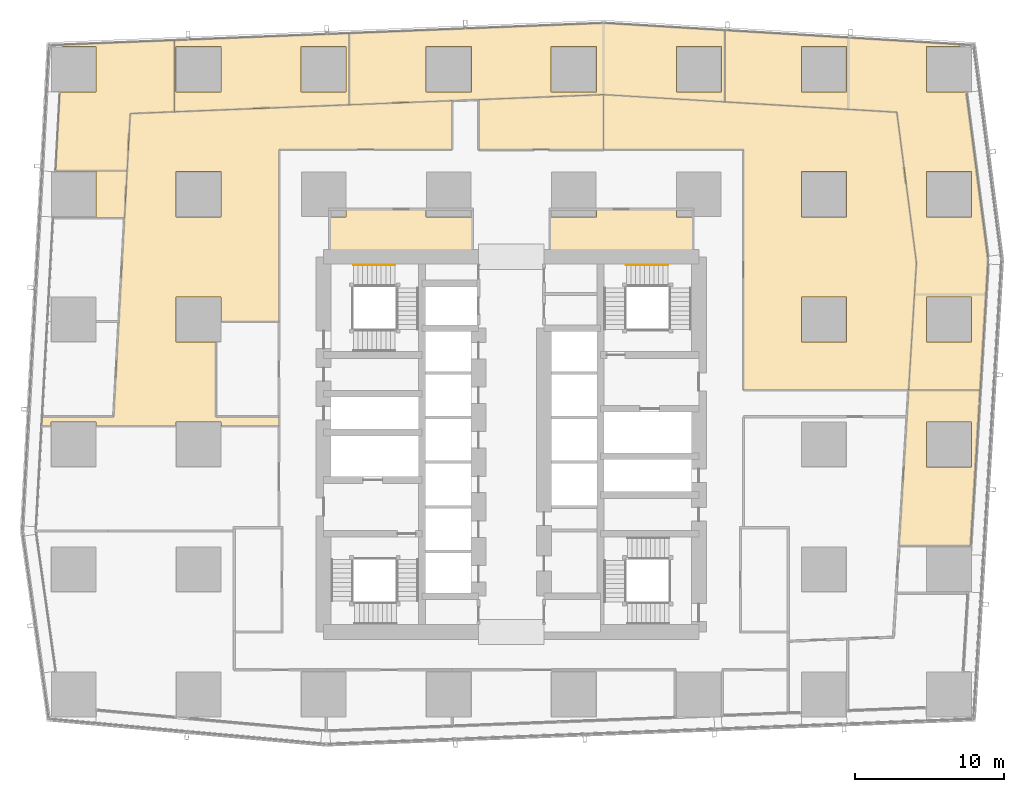
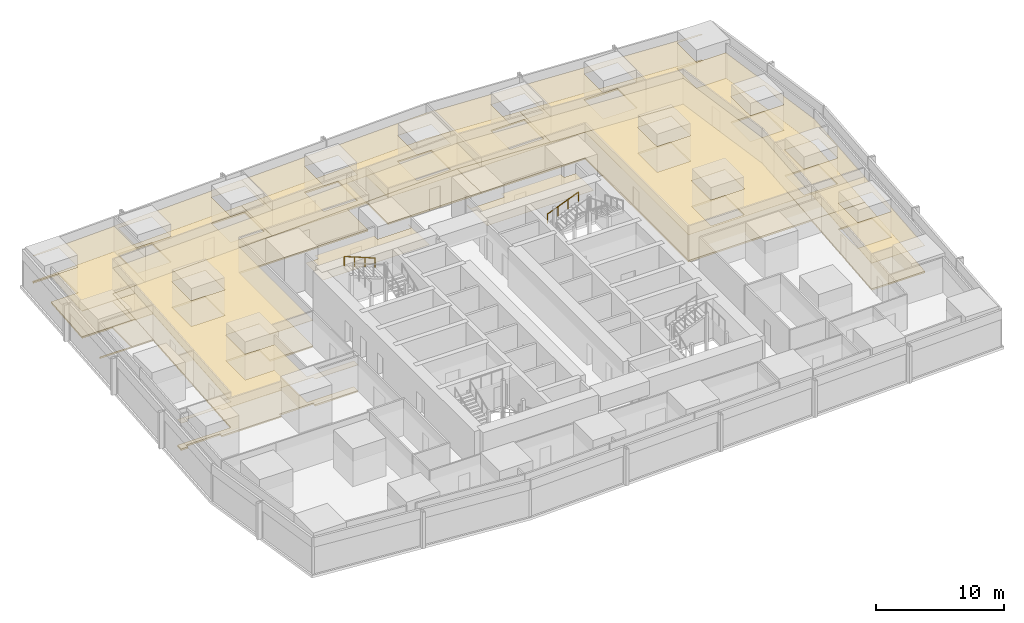
# One storey, part 39 of 39: 20 coverings, 2 railings.
"""IFC4 building model written with IfcOpenShell, lengths in metres."""

import ifcopenshell
import ifcopenshell.guid

model = None  # the IFC model being written
_history = None  # IfcOwnerHistory: only IFC2X3 demands one
_inside = {}  # id of a spatial element -> (the spatial element, [elements in it])
_under = {}  # id of a project, library or spatial element -> (it, [spatial elements below it])
_declared = {}  # id of a project -> (the project, [libraries it declares])
_typed = {}  # id of a type object -> (the type object, [elements of that type])
_made_of = {}  # id of a material, layer set ... -> (it, [elements and type objects made of it])


def new_model(schema):
    """Start an empty IFC model of exactly this schema.

    Asked for "IFC4X3", IfcOpenShell would pick the latest addendum, in which some entities
    have other attributes; the version numbers below select the first issue.
    IFC2X3 requires an IfcOwnerHistory on every rooted entity: one is made here for all.
    """
    global model, _history
    if schema == "IFC4X3":
        model = ifcopenshell.file(schema_version=(4, 3, 0, 0))
    else:
        model = ifcopenshell.file(schema=schema)
    _inside.clear()
    _under.clear()
    _declared.clear()
    _typed.clear()
    _made_of.clear()
    _history = None
    if model.schema == "IFC2X3":
        org = make("IfcOrganization", Name="unknown")
        user = make(
            "IfcPersonAndOrganization",
            ThePerson=make("IfcPerson", FamilyName="unknown"),
            TheOrganization=org,
        )
        app = make(
            "IfcApplication",
            ApplicationDeveloper=org,
            Version="unknown",
            ApplicationFullName="unknown",
            ApplicationIdentifier="unknown",
        )
        _history = make(
            "IfcOwnerHistory",
            OwningUser=user,
            OwningApplication=app,
            ChangeAction="ADDED",
            CreationDate=0,
        )
    return model


def make(cls, **values):
    """One entity of the class cls with the attributes given. An attribute that is None is left unset."""
    return model.create_entity(
        cls, **{name: value for name, value in values.items() if value is not None}
    )


def rooted(cls, **values):
    """An entity with a GlobalId (a new one), such as an element, a storey or a relation."""
    return make(cls, GlobalId=ifcopenshell.guid.new(), OwnerHistory=_history, **values)


def si_unit(unit_type, name, prefix=None):
    """IfcSIUnit, for example si_unit("LENGTHUNIT", "METRE", prefix="MILLI")."""
    return make("IfcSIUnit", UnitType=unit_type, Prefix=prefix, Name=name)


def assignment(units):
    """IfcUnitAssignment: the units of a project."""
    return None if units is None else make("IfcUnitAssignment", Units=units)


def point(xyz):
    """IfcCartesianPoint."""
    return None if xyz is None else make("IfcCartesianPoint", Coordinates=xyz)


def direction(xyz):
    """IfcDirection."""
    return None if xyz is None else make("IfcDirection", DirectionRatios=xyz)


def frame(location, z_axis=None, x_axis=None):
    """IfcAxis2Placement3D, a coordinate frame: its origin and axes. An axis left out is left unset."""
    return make(
        "IfcAxis2Placement3D",
        Location=point(location),
        Axis=direction(z_axis),
        RefDirection=direction(x_axis),
    )


def frame_2d(location, x_axis=None):
    """IfcAxis2Placement2D, a coordinate frame in the plane: its origin and x axis."""
    return make(
        "IfcAxis2Placement2D", Location=point(location), RefDirection=direction(x_axis)
    )


def origin():
    """The frame at (0, 0, 0) with its axes left unset."""
    return frame((0.0, 0.0, 0.0))


def origin_2d():
    """The frame at (0, 0) in the plane with its x axis left unset."""
    return frame_2d((0.0, 0.0))


def place(relative_to, where):
    """IfcLocalPlacement: puts the frame where relative to a parent placement (None: the world)."""
    return make(
        "IfcLocalPlacement", PlacementRelTo=relative_to, RelativePlacement=where
    )


def context(
    kind, dimensions, precision=None, world=None, true_north=None, identifier=None
):
    """IfcGeometricRepresentationContext, for example the 3D "Model" context."""
    return make(
        "IfcGeometricRepresentationContext",
        ContextIdentifier=identifier,
        ContextType=kind,
        CoordinateSpaceDimension=dimensions,
        Precision=precision,
        WorldCoordinateSystem=world,
        TrueNorth=true_north,
    )


def subcontext(parent, identifier, kind, view, scale=None):
    """IfcGeometricRepresentationSubContext, for example "Body" below "Model"."""
    return make(
        "IfcGeometricRepresentationSubContext",
        ContextIdentifier=identifier,
        ContextType=kind,
        ParentContext=parent,
        TargetScale=scale,
        TargetView=view,
    )


def project(units=None, contexts=None):
    """IfcProject with its units and contexts."""
    return rooted(
        "IfcProject",
        Name="project",
        RepresentationContexts=contexts,
        UnitsInContext=assignment(units),
    )


def spatial(cls, under=None, at=None, **own):
    """A site, building, storey or space (cls), placed at a placement, below another one or the project."""
    s = rooted(cls, ObjectPlacement=at, **own)
    if under is not None:
        _under.setdefault(under.id(), (under, []))[1].append(s)
    return s


def polyline(points):
    """IfcPolyline through the points."""
    return make("IfcPolyline", Points=[point(p) for p in points])


def profile(cls, at=None, kind="AREA", **sizes):
    """A parametric profile (cls). Its sizes go by their IFC names, for example OverallWidth=200.0."""
    return make(cls, ProfileType=kind, Position=at, **sizes)


def circle(**sizes):
    """IfcCircleProfileDef."""
    return profile("IfcCircleProfileDef", **sizes)


def outline(outer, holes=None, kind="AREA"):
    """IfcArbitraryClosedProfileDef: a profile drawn as a closed curve; with holes, ...WithVoids."""
    if holes is None:
        return make("IfcArbitraryClosedProfileDef", ProfileType=kind, OuterCurve=outer)
    return make(
        "IfcArbitraryProfileDefWithVoids",
        ProfileType=kind,
        OuterCurve=outer,
        InnerCurves=holes,
    )


def extrude(swept, where, along, depth):
    """IfcExtrudedAreaSolid: the profile swept, set in the frame where, extruded along a direction by depth."""
    return make(
        "IfcExtrudedAreaSolid",
        SweptArea=swept,
        Position=where,
        ExtrudedDirection=direction(along),
        Depth=depth,
    )


def shape(context_of_items, identifier, shape_type, items):
    """IfcShapeRepresentation: the items that make up one representation, for example the "Body"."""
    return make(
        "IfcShapeRepresentation",
        ContextOfItems=context_of_items,
        RepresentationIdentifier=identifier,
        RepresentationType=shape_type,
        Items=items,
    )


def material(Name=None, Category=None):
    """IfcMaterial."""
    return make("IfcMaterial", Name=Name, Category=Category)


def layer(
    of_material, thickness, ventilated=None, Name=None, Category=None, Priority=None
):
    """IfcMaterialLayer: one layer of a wall or slab, of a material (None: an air gap)."""
    return make(
        "IfcMaterialLayer",
        Material=of_material,
        LayerThickness=thickness,
        IsVentilated=ventilated,
        Name=Name,
        Category=Category,
        Priority=Priority,
    )


def layer_set(layers, Name=None):
    """IfcMaterialLayerSet."""
    return make("IfcMaterialLayerSet", MaterialLayers=layers, LayerSetName=Name)


def made_of(thing, what):
    """Note that an element or type object is made of a material, layer set ...; save() writes the relation."""
    if what is not None:
        _made_of.setdefault(what.id(), (what, []))[1].append(thing)
    return thing


def type_object(cls, material=None, **own):
    """A type object (cls), such as IfcWallType, which elements share."""
    return made_of(rooted(cls, **own), material)


def element(
    cls,
    number,
    at=None,
    inside=None,
    cuts=None,
    type_object=None,
    material=None,
    context=None,
    identifier="Body",
    shape_type=None,
    held_by="IfcProductDefinitionShape",
    body=None,
    shapes=None,
    **own,
):
    """One element of the class cls, such as IfcWall. Its Tag is "e" and its number.

    at: its placement. inside: the storey or other place that contains it. cuts: it is an
    opening in that element (IfcRelVoidsElement). A single representation is given by context,
    identifier, shape_type and body (its items); several are given by shapes. held_by: the class
    of the entity that holds the representations. save() writes the other relations.
    """
    e = rooted(cls, Tag="e%d" % number, ObjectPlacement=at, **own)
    if body is not None:
        shapes = [shape(context, identifier, shape_type, body)]
    if shapes is not None:
        e.Representation = make(held_by, Representations=shapes)
    if inside is not None:
        _inside.setdefault(inside.id(), (inside, []))[1].append(e)
    if cuts is not None:
        rooted(
            "IfcRelVoidsElement", RelatingBuildingElement=cuts, RelatedOpeningElement=e
        )
    if type_object is not None:
        _typed.setdefault(type_object.id(), (type_object, []))[1].append(e)
    return made_of(e, material)


def aggregate(whole, parts):
    """IfcRelAggregates: a whole, such as a stair, and the parts it consists of."""
    return rooted("IfcRelAggregates", RelatingObject=whole, RelatedObjects=parts)


def save(model, path):
    """Write the relations noted so far, then the file.

    IfcRelAggregates (storeys below a building ...), IfcRelContainedInSpatialStructure (elements
    in a storey), IfcRelDefinesByType, IfcRelAssociatesMaterial and IfcRelDeclares: one each for
    every whole, place, type object, material and project.
    """
    for whole, parts in _under.values():
        aggregate(whole, parts)
    for where, things in _inside.values():
        rooted(
            "IfcRelContainedInSpatialStructure",
            RelatedElements=things,
            RelatingStructure=where,
        )
    for kind, things in _typed.values():
        rooted("IfcRelDefinesByType", RelatedObjects=things, RelatingType=kind)
    for what, things in _made_of.values():
        rooted("IfcRelAssociatesMaterial", RelatedObjects=things, RelatingMaterial=what)
    for by, libraries in _declared.values():
        rooted("IfcRelDeclares", RelatingContext=by, RelatedDefinitions=libraries)
    model.write(path)


model = new_model("IFC4")

# Units and contexts
model_context = context("Model", 3, precision=1e-05, world=origin(), true_north=direction((0.0, 1.0)))
body_context = subcontext(model_context, "Body", "Model", "MODEL_VIEW")
ifc_project = project(units=[si_unit("LENGTHUNIT", "METRE"), si_unit("AREAUNIT", "SQUARE_METRE"), si_unit("VOLUMEUNIT", "CUBIC_METRE"), si_unit("PLANEANGLEUNIT", "RADIAN"), si_unit("MASSUNIT", "GRAM", prefix="KILO")], contexts=[model_context])

# Site, building, storey
site_placement = place(None, origin())
site = spatial("IfcSite", under=ifc_project, at=site_placement, CompositionType="ELEMENT")
building_placement = place(site_placement, origin())
building = spatial("IfcBuilding", under=site, at=building_placement, Name="Rekha Terrace Tower", CompositionType="ELEMENT")
storey_placement = place(building_placement, frame((0.0, 0.0, 155.300048828125)))
storey = spatial("IfcBuildingStorey", under=building, at=storey_placement, Name="L39", CompositionType="ELEMENT", Elevation=155.300048828125)

# Coverings
ifc_material_1 = material(Name="Mineral fibre tile in exposed grid", Category="finish")
ifc_layer_1 = layer(ifc_material_1, 0.02001953125)
ifc_layer_set_1 = layer_set([ifc_layer_1], Name="Mineral fibre tile in exposed grid")
covering_type_1 = type_object("IfcCoveringType", Name="CL1 600x1200 office grid ceiling", PredefinedType="CEILING", material=ifc_layer_set_1)
covering_1_placement = place(storey_placement, frame((0.0, 0.0, 2.579833984375)))
element("IfcCovering", 1, at=covering_1_placement, inside=storey, type_object=covering_type_1, Name="Ceiling L39-07", PredefinedType="CEILING", context=body_context, shape_type="SweptSolid", body=[
    extrude(outline(polyline([(68.658935546875, 26.756103515625), (69.301025390625, 37.242919921875), (64.491943359375, 37.242919921875), (64.443115234375, 36.43798828125), (63.85009765625, 26.756103515625), (68.658935546875, 26.756103515625)]), holes=[polyline([(68.715087890625, 35.114990234375), (68.715087890625, 32.0849609375), (65.68505859375, 32.0849609375), (65.68505859375, 35.114990234375), (68.715087890625, 35.114990234375)])]), origin(), (0.0, 0.0, 1.0), 0.02001953125),
])
covering_2_placement = place(storey_placement, frame((0.0, 0.0, 2.579833984375)))
element("IfcCovering", 2, at=covering_2_placement, inside=storey, type_object=covering_type_1, Name="Ceiling L39-08", PredefinedType="CEILING", context=body_context, shape_type="SweptSolid", body=[
    extrude(outline(polyline([(67.948974609375, 60.462890625), (60.43310546875, 60.9150390625), (52.14208984375, 61.4130859375), (52.14208984375, 56.60400390625), (60.43505859375, 56.10595703125), (63.700927734375, 55.909912109375), (65.01708984375, 45.806884765625), (64.885009765625, 43.658935546875), (64.491943359375, 37.243896484375), (69.301025390625, 37.243896484375), (69.694091796875, 43.660888671875), (69.8359375, 45.971923828125), (68.363037109375, 57.284912109375), (65.68505859375, 57.284912109375), (65.68505859375, 60.31494140625), (67.968017578125, 60.31494140625), (67.948974609375, 60.462890625)]), holes=[polyline([(68.715087890625, 40.485107421875), (65.68505859375, 40.485107421875), (65.68505859375, 43.514892578125), (68.715087890625, 43.514892578125), (68.715087890625, 40.485107421875)]), polyline([(68.715087890625, 48.885009765625), (65.68505859375, 48.885009765625), (65.68505859375, 51.9150390625), (68.715087890625, 51.9150390625), (68.715087890625, 48.885009765625)]), polyline([(60.31494140625, 57.284912109375), (57.284912109375, 57.284912109375), (57.284912109375, 60.31494140625), (60.31494140625, 60.31494140625), (60.31494140625, 57.284912109375)])]), origin(), (0.0, 0.0, 1.0), 0.02001953125),
])
covering_3_placement = place(storey_placement, frame((0.0, 0.0, 2.579833984375)))
element("IfcCovering", 3, at=covering_3_placement, inside=storey, type_object=covering_type_1, Name="Ceiling L39-O1", PredefinedType="CEILING", context=body_context, shape_type="SweptSolid", body=[
    extrude(outline(polyline([(52.14111328125, 56.60400390625), (44.0029296875, 57.093017578125), (44.0029296875, 53.39990234375), (53.39990234375, 53.39990234375), (53.39990234375, 37.2470703125), (64.491943359375, 37.2470703125), (64.885009765625, 43.660888671875), (65.01708984375, 45.806884765625), (63.700927734375, 55.909912109375), (60.43408203125, 56.10595703125), (52.14111328125, 56.60400390625)]), holes=[polyline([(60.31494140625, 40.485107421875), (57.284912109375, 40.485107421875), (57.284912109375, 43.514892578125), (60.31494140625, 43.514892578125), (60.31494140625, 40.485107421875)]), polyline([(60.31494140625, 48.885009765625), (57.284912109375, 48.885009765625), (57.284912109375, 51.9150390625), (60.31494140625, 51.9150390625), (60.31494140625, 48.885009765625)])]), origin(), (0.0, 0.0, 1.0), 0.02001953125),
])
covering_4_placement = place(storey_placement, frame((0.0, 0.0, 2.579833984375)))
element("IfcCovering", 4, at=covering_4_placement, inside=storey, type_object=covering_type_1, Name="Ceiling L39-13", PredefinedType="CEILING", context=body_context, shape_type="SweptSolid", body=[
    extrude(outline(polyline([(26.906005859375, 56.409912109375), (26.906005859375, 61.212890625), (15.166015625, 60.742919921875), (15.166015625, 55.93896484375), (26.906005859375, 56.409912109375)]), holes=[polyline([(26.715087890625, 57.284912109375), (23.68505859375, 57.284912109375), (23.68505859375, 60.31494140625), (26.715087890625, 60.31494140625), (26.715087890625, 57.284912109375)]), polyline([(18.31494140625, 57.284912109375), (15.284912109375, 57.284912109375), (15.284912109375, 60.31494140625), (18.31494140625, 60.31494140625), (18.31494140625, 57.284912109375)])]), origin(), (0.0, 0.0, 1.0), 0.02001953125),
])
covering_5_placement = place(storey_placement, frame((0.0, 0.0, 2.579833984375)))
element("IfcCovering", 5, at=covering_5_placement, inside=storey, type_object=covering_type_1, Name="Ceiling L39-14", PredefinedType="CEILING", context=body_context, shape_type="SweptSolid", body=[
    extrude(outline(polyline([(7.47998046875, 57.284912109375), (7.18798828125, 51.9580078125), (11.9951171875, 51.9580078125), (12.20703125, 55.821044921875), (15.1650390625, 55.93896484375), (15.1650390625, 60.742919921875), (7.653076171875, 60.44189453125), (7.64599609375, 60.31494140625), (9.9150390625, 60.31494140625), (9.9150390625, 57.284912109375), (7.47998046875, 57.284912109375)])), origin(), (0.0, 0.0, 1.0), 0.02001953125),
])
covering_6_placement = place(storey_placement, frame((0.0, 0.0, 2.579833984375)))
element("IfcCovering", 6, at=covering_6_placement, inside=storey, type_object=covering_type_1, Name="Ceiling L39-15", PredefinedType="CEILING", context=body_context, shape_type="SweptSolid", body=[
    extrude(outline(polyline([(9.9150390625, 48.885009765625), (7.01904296875, 48.885009765625), (7.01708984375, 48.843017578125), (11.823974609375, 48.843017578125), (11.9951171875, 51.95703125), (7.18798828125, 51.95703125), (7.18603515625, 51.9150390625), (9.9150390625, 51.9150390625), (9.9150390625, 48.885009765625)])), origin(), (0.0, 0.0, 1.0), 0.02001953125),
])
covering_7_placement = place(storey_placement, frame((0.0, 0.0, 2.579833984375)))
element("IfcCovering", 7, at=covering_7_placement, inside=storey, type_object=covering_type_1, Name="Ceiling L39-O2", PredefinedType="CEILING", context=body_context, shape_type="SweptSolid", body=[
    extrude(outline(polyline([(11.823974609375, 48.842041015625), (11.44091796875, 41.85400390625), (11.090087890625, 35.447021484375), (6.282958984375, 35.447021484375), (6.2490234375, 34.833984375), (6.885009765625, 34.833984375), (6.885009765625, 35.114990234375), (9.9150390625, 35.114990234375), (9.9150390625, 34.833984375), (15.284912109375, 34.833984375), (15.284912109375, 35.114990234375), (18.31494140625, 35.114990234375), (18.31494140625, 34.833984375), (22.199951171875, 34.833984375), (22.199951171875, 35.447021484375), (17.949951171875, 35.447021484375), (17.949951171875, 40.485107421875), (15.284912109375, 40.485107421875), (15.284912109375, 43.514892578125), (18.31494140625, 43.514892578125), (18.31494140625, 41.85498046875), (22.199951171875, 41.85498046875), (22.199951171875, 53.39990234375), (33.825927734375, 53.39990234375), (33.825927734375, 56.68701171875), (26.89111328125, 56.408935546875), (15.14990234375, 55.93798828125), (12.20703125, 55.821044921875), (11.9951171875, 51.95703125), (11.823974609375, 48.842041015625)]), holes=[polyline([(18.31494140625, 48.885009765625), (15.284912109375, 48.885009765625), (15.284912109375, 51.9150390625), (18.31494140625, 51.9150390625), (18.31494140625, 48.885009765625)])]), origin(), (0.0, 0.0, 1.0), 0.02001953125),
])
covering_8_placement = place(storey_placement, frame((0.0, 0.0, 2.579833984375)))
element("IfcCovering", 8, at=covering_8_placement, inside=storey, type_object=covering_type_1, Name="Ceiling L39-19", PredefinedType="CEILING", context=body_context, shape_type="SweptSolid", body=[
    extrude(outline(polyline([(34.72607421875, 56.722900390625), (35.6259765625, 56.759033203125), (44.00390625, 57.094970703125), (44.00390625, 57.093017578125), (52.14111328125, 56.60400390625), (52.14111328125, 61.4130859375), (44.00390625, 61.902099609375), (44.00390625, 61.89892578125), (34.72607421875, 61.527099609375), (26.906982421875, 61.214111328125), (26.906982421875, 56.409912109375), (33.825927734375, 56.68701171875), (34.2041015625, 56.701904296875), (34.72607421875, 56.722900390625)]), holes=[polyline([(51.9150390625, 57.284912109375), (48.885009765625, 57.284912109375), (48.885009765625, 60.31494140625), (51.9150390625, 60.31494140625), (51.9150390625, 57.284912109375)]), polyline([(43.514892578125, 57.284912109375), (40.485107421875, 57.284912109375), (40.485107421875, 60.31494140625), (43.514892578125, 60.31494140625), (43.514892578125, 57.284912109375)]), polyline([(35.114990234375, 57.284912109375), (32.0849609375, 57.284912109375), (32.0849609375, 60.31494140625), (35.114990234375, 60.31494140625), (35.114990234375, 57.284912109375)])]), origin(), (0.0, 0.0, 1.0), 0.02001953125),
])
covering_9_placement = place(storey_placement, frame((0.0, 0.0, 2.579833984375)))
element("IfcCovering", 9, at=covering_9_placement, inside=storey, type_object=covering_type_1, Name="Ceiling L39-20", PredefinedType="CEILING", context=body_context, shape_type="SweptSolid", body=[
    extrude(outline(polyline([(44.0029296875, 57.094970703125), (35.6259765625, 56.759033203125), (35.6259765625, 53.39990234375), (44.0029296875, 53.39990234375), (44.0029296875, 57.094970703125)])), origin(), (0.0, 0.0, 1.0), 0.02001953125),
])
ifc_material_2 = material(Name="Fibre cement board", Category="finish")
ifc_layer_2 = layer(ifc_material_2, 0.014892578125)
ifc_layer_set_2 = layer_set([ifc_layer_2], Name="Fibre cement board")
covering_type_2 = type_object("IfcCoveringType", Name="CL2 moisture-resistant board ceiling", PredefinedType="CEILING", material=ifc_layer_set_2)
covering_10_placement = place(storey_placement, frame((0.0, 0.0, 2.5849609375)))
element("IfcCovering", 10, at=covering_10_placement, inside=storey, type_object=covering_type_2, Name="Ceiling L39-WCF", PredefinedType="CEILING", context=body_context, shape_type="SweptSolid", body=[
    extrude(outline(polyline([(40.485107421875, 49.39990234375), (40.39990234375, 49.39990234375), (40.39990234375, 46.199951171875), (50.0, 46.199951171875), (50.0, 48.885009765625), (48.885009765625, 48.885009765625), (48.885009765625, 49.39990234375), (43.514892578125, 49.39990234375), (43.514892578125, 48.885009765625), (40.485107421875, 48.885009765625), (40.485107421875, 49.39990234375)])), origin(), (0.0, 0.0, 1.0), 0.014892578125),
])
covering_11_placement = place(storey_placement, frame((0.0, 0.0, 2.5849609375)))
element("IfcCovering", 11, at=covering_11_placement, inside=storey, type_object=covering_type_2, Name="Ceiling L39-WCF2", PredefinedType="CEILING", context=body_context, shape_type="SweptSolid", body=[
    extrude(outline(polyline([(26.715087890625, 48.885009765625), (25.60009765625, 48.885009765625), (25.60009765625, 46.199951171875), (35.199951171875, 46.199951171875), (35.199951171875, 49.39990234375), (35.114990234375, 49.39990234375), (35.114990234375, 48.885009765625), (32.0849609375, 48.885009765625), (32.0849609375, 49.39990234375), (26.715087890625, 49.39990234375), (26.715087890625, 48.885009765625)])), origin(), (0.0, 0.0, 1.0), 0.014892578125),
])

# Railings
ifc_material_3 = material(Name="Stainless steel tube", Category="steel")
railing_type = type_object("IfcRailingType", Name="HR1 900 stair handrail", PredefinedType="HANDRAIL", material=ifc_material_3)
railing_1_placement = place(storey_placement, frame((45.52490234375, 45.639892578125, 1.375)))
element("IfcRailing", 12, at=railing_1_placement, inside=storey, type_object=railing_type, Name="Handrail ST2 L39 flight 2", PredefinedType="HANDRAIL", context=body_context, shape_type="SweptSolid", body=[
    extrude(circle(Radius=0.02392578125, at=origin_2d()), frame((0.0, 0.0, 0.8759765625), z_axis=(0.927443287984, 0.0, 0.373963831907), x_axis=(0.0, 1.0, 0.0)), (0.0, 0.0, 1.0), 3.00830078125),
    extrude(circle(Radius=0.02099609375, at=origin_2d()), origin(), (0.0, 0.0, 1.0), 0.851806640625),
    extrude(circle(Radius=0.02099609375, at=origin_2d()), frame((0.929931640625, 0.0, 0.375)), (0.0, 0.0, 1.0), 0.851806640625),
    extrude(circle(Radius=0.02099609375, at=origin_2d()), frame((1.860107421875, 0.0, 0.75)), (0.0, 0.0, 1.0), 0.851806640625),
    extrude(circle(Radius=0.02099609375, at=origin_2d()), frame((2.7900390625, 0.0, 1.125)), (0.0, 0.0, 1.0), 0.851806640625),
])
railing_2_placement = place(storey_placement, frame((29.989990234375, 45.639892578125, 2.625)))
element("IfcRailing", 13, at=railing_2_placement, inside=storey, type_object=railing_type, Name="Handrail ST4 L39 flight 3", PredefinedType="HANDRAIL", context=body_context, shape_type="SweptSolid", body=[
    extrude(circle(Radius=0.02392578125, at=origin_2d()), frame((0.0, 0.0, 0.8759765625), z_axis=(-0.927443287984, 0.0, 0.373963831907), x_axis=(0.0, -1.0, 0.0)), (0.0, 0.0, 1.0), 3.00830078125),
    extrude(circle(Radius=0.02099609375, at=origin_2d()), origin(), (0.0, 0.0, 1.0), 0.851806640625),
    extrude(circle(Radius=0.02099609375, at=origin_2d()), frame((-0.929931640625, 0.0, 0.375)), (0.0, 0.0, 1.0), 0.851806640625),
    extrude(circle(Radius=0.02099609375, at=origin_2d()), frame((-1.860107421875, 0.0, 0.75)), (0.0, 0.0, 1.0), 0.851806640625),
    extrude(circle(Radius=0.02099609375, at=origin_2d()), frame((-2.7900390625, 0.0, 1.125)), (0.0, 0.0, 1.0), 0.851806640625),
])

# Coverings
ifc_material_4 = material(Name="Calcium sulphate panels on steel pedestals", Category="steel")
ifc_layer_3 = layer(ifc_material_4, 0.14990234375)
ifc_layer_set_3 = layer_set([ifc_layer_3], Name="Calcium sulphate panels on steel pedestals")
covering_type_3 = type_object("IfcCoveringType", Name="RF1 150 raised access floor", PredefinedType="FLOORING", material=ifc_layer_set_3)
covering_12_placement = place(storey_placement, origin())
element("IfcCovering", 14, at=covering_12_placement, inside=storey, type_object=covering_type_3, Name="Raised floor L39-07", PredefinedType="FLOORING", context=body_context, shape_type="SweptSolid", body=[
    extrude(outline(polyline([(68.658935546875, 26.756103515625), (69.301025390625, 37.242919921875), (64.491943359375, 37.242919921875), (64.443115234375, 36.43798828125), (63.85009765625, 26.756103515625), (68.658935546875, 26.756103515625)]), holes=[polyline([(68.715087890625, 35.114990234375), (68.715087890625, 32.0849609375), (65.68505859375, 32.0849609375), (65.68505859375, 35.114990234375), (68.715087890625, 35.114990234375)])]), origin(), (0.0, 0.0, 1.0), 0.14990234375),
])
covering_13_placement = place(storey_placement, origin())
element("IfcCovering", 15, at=covering_13_placement, inside=storey, type_object=covering_type_3, Name="Raised floor L39-08", PredefinedType="FLOORING", context=body_context, shape_type="SweptSolid", body=[
    extrude(outline(polyline([(67.948974609375, 60.462890625), (60.43310546875, 60.9150390625), (52.14208984375, 61.4130859375), (52.14208984375, 56.60400390625), (60.43505859375, 56.10595703125), (63.700927734375, 55.909912109375), (65.01708984375, 45.806884765625), (64.885009765625, 43.658935546875), (64.491943359375, 37.243896484375), (69.301025390625, 37.243896484375), (69.694091796875, 43.660888671875), (69.8359375, 45.971923828125), (68.363037109375, 57.284912109375), (65.68505859375, 57.284912109375), (65.68505859375, 60.31494140625), (67.968017578125, 60.31494140625), (67.948974609375, 60.462890625)]), holes=[polyline([(68.715087890625, 40.485107421875), (65.68505859375, 40.485107421875), (65.68505859375, 43.514892578125), (68.715087890625, 43.514892578125), (68.715087890625, 40.485107421875)]), polyline([(68.715087890625, 48.885009765625), (65.68505859375, 48.885009765625), (65.68505859375, 51.9150390625), (68.715087890625, 51.9150390625), (68.715087890625, 48.885009765625)]), polyline([(60.31494140625, 57.284912109375), (57.284912109375, 57.284912109375), (57.284912109375, 60.31494140625), (60.31494140625, 60.31494140625), (60.31494140625, 57.284912109375)])]), origin(), (0.0, 0.0, 1.0), 0.14990234375),
])
covering_14_placement = place(storey_placement, origin())
element("IfcCovering", 16, at=covering_14_placement, inside=storey, type_object=covering_type_3, Name="Raised floor L39-O1", PredefinedType="FLOORING", context=body_context, shape_type="SweptSolid", body=[
    extrude(outline(polyline([(52.14111328125, 56.60400390625), (44.0029296875, 57.093017578125), (44.0029296875, 53.39990234375), (53.39990234375, 53.39990234375), (53.39990234375, 37.2470703125), (64.491943359375, 37.2470703125), (64.885009765625, 43.660888671875), (65.01708984375, 45.806884765625), (63.700927734375, 55.909912109375), (60.43408203125, 56.10595703125), (52.14111328125, 56.60400390625)]), holes=[polyline([(60.31494140625, 40.485107421875), (57.284912109375, 40.485107421875), (57.284912109375, 43.514892578125), (60.31494140625, 43.514892578125), (60.31494140625, 40.485107421875)]), polyline([(60.31494140625, 48.885009765625), (57.284912109375, 48.885009765625), (57.284912109375, 51.9150390625), (60.31494140625, 51.9150390625), (60.31494140625, 48.885009765625)])]), origin(), (0.0, 0.0, 1.0), 0.14990234375),
])
covering_15_placement = place(storey_placement, origin())
element("IfcCovering", 17, at=covering_15_placement, inside=storey, type_object=covering_type_3, Name="Raised floor L39-13", PredefinedType="FLOORING", context=body_context, shape_type="SweptSolid", body=[
    extrude(outline(polyline([(26.906005859375, 56.409912109375), (26.906005859375, 61.212890625), (15.166015625, 60.742919921875), (15.166015625, 55.93896484375), (26.906005859375, 56.409912109375)]), holes=[polyline([(26.715087890625, 57.284912109375), (23.68505859375, 57.284912109375), (23.68505859375, 60.31494140625), (26.715087890625, 60.31494140625), (26.715087890625, 57.284912109375)]), polyline([(18.31494140625, 57.284912109375), (15.284912109375, 57.284912109375), (15.284912109375, 60.31494140625), (18.31494140625, 60.31494140625), (18.31494140625, 57.284912109375)])]), origin(), (0.0, 0.0, 1.0), 0.14990234375),
])
covering_16_placement = place(storey_placement, origin())
element("IfcCovering", 18, at=covering_16_placement, inside=storey, type_object=covering_type_3, Name="Raised floor L39-14", PredefinedType="FLOORING", context=body_context, shape_type="SweptSolid", body=[
    extrude(outline(polyline([(7.47998046875, 57.284912109375), (7.18798828125, 51.9580078125), (11.9951171875, 51.9580078125), (12.20703125, 55.821044921875), (15.1650390625, 55.93896484375), (15.1650390625, 60.742919921875), (7.653076171875, 60.44189453125), (7.64599609375, 60.31494140625), (9.9150390625, 60.31494140625), (9.9150390625, 57.284912109375), (7.47998046875, 57.284912109375)])), origin(), (0.0, 0.0, 1.0), 0.14990234375),
])
covering_17_placement = place(storey_placement, origin())
element("IfcCovering", 19, at=covering_17_placement, inside=storey, type_object=covering_type_3, Name="Raised floor L39-15", PredefinedType="FLOORING", context=body_context, shape_type="SweptSolid", body=[
    extrude(outline(polyline([(9.9150390625, 48.885009765625), (7.01904296875, 48.885009765625), (7.01708984375, 48.843017578125), (11.823974609375, 48.843017578125), (11.9951171875, 51.95703125), (7.18798828125, 51.95703125), (7.18603515625, 51.9150390625), (9.9150390625, 51.9150390625), (9.9150390625, 48.885009765625)])), origin(), (0.0, 0.0, 1.0), 0.14990234375),
])
covering_18_placement = place(storey_placement, origin())
element("IfcCovering", 20, at=covering_18_placement, inside=storey, type_object=covering_type_3, Name="Raised floor L39-O2", PredefinedType="FLOORING", context=body_context, shape_type="SweptSolid", body=[
    extrude(outline(polyline([(11.823974609375, 48.842041015625), (11.44091796875, 41.85400390625), (11.090087890625, 35.447021484375), (6.282958984375, 35.447021484375), (6.2490234375, 34.833984375), (6.885009765625, 34.833984375), (6.885009765625, 35.114990234375), (9.9150390625, 35.114990234375), (9.9150390625, 34.833984375), (15.284912109375, 34.833984375), (15.284912109375, 35.114990234375), (18.31494140625, 35.114990234375), (18.31494140625, 34.833984375), (22.199951171875, 34.833984375), (22.199951171875, 35.447021484375), (17.949951171875, 35.447021484375), (17.949951171875, 40.485107421875), (15.284912109375, 40.485107421875), (15.284912109375, 43.514892578125), (18.31494140625, 43.514892578125), (18.31494140625, 41.85498046875), (22.199951171875, 41.85498046875), (22.199951171875, 53.39990234375), (33.825927734375, 53.39990234375), (33.825927734375, 56.68701171875), (26.89111328125, 56.408935546875), (15.14990234375, 55.93798828125), (12.20703125, 55.821044921875), (11.9951171875, 51.95703125), (11.823974609375, 48.842041015625)]), holes=[polyline([(18.31494140625, 48.885009765625), (15.284912109375, 48.885009765625), (15.284912109375, 51.9150390625), (18.31494140625, 51.9150390625), (18.31494140625, 48.885009765625)])]), origin(), (0.0, 0.0, 1.0), 0.14990234375),
])
covering_19_placement = place(storey_placement, origin())
element("IfcCovering", 21, at=covering_19_placement, inside=storey, type_object=covering_type_3, Name="Raised floor L39-19", PredefinedType="FLOORING", context=body_context, shape_type="SweptSolid", body=[
    extrude(outline(polyline([(34.72607421875, 56.722900390625), (35.6259765625, 56.759033203125), (44.00390625, 57.094970703125), (44.00390625, 57.093017578125), (52.14111328125, 56.60400390625), (52.14111328125, 61.4130859375), (44.00390625, 61.902099609375), (44.00390625, 61.89892578125), (34.72607421875, 61.527099609375), (26.906982421875, 61.214111328125), (26.906982421875, 56.409912109375), (33.825927734375, 56.68701171875), (34.2041015625, 56.701904296875), (34.72607421875, 56.722900390625)]), holes=[polyline([(51.9150390625, 57.284912109375), (48.885009765625, 57.284912109375), (48.885009765625, 60.31494140625), (51.9150390625, 60.31494140625), (51.9150390625, 57.284912109375)]), polyline([(43.514892578125, 57.284912109375), (40.485107421875, 57.284912109375), (40.485107421875, 60.31494140625), (43.514892578125, 60.31494140625), (43.514892578125, 57.284912109375)]), polyline([(35.114990234375, 57.284912109375), (32.0849609375, 57.284912109375), (32.0849609375, 60.31494140625), (35.114990234375, 60.31494140625), (35.114990234375, 57.284912109375)])]), origin(), (0.0, 0.0, 1.0), 0.14990234375),
])
covering_20_placement = place(storey_placement, origin())
element("IfcCovering", 22, at=covering_20_placement, inside=storey, type_object=covering_type_3, Name="Raised floor L39-20", PredefinedType="FLOORING", context=body_context, shape_type="SweptSolid", body=[
    extrude(outline(polyline([(44.0029296875, 57.094970703125), (35.6259765625, 56.759033203125), (35.6259765625, 53.39990234375), (44.0029296875, 53.39990234375), (44.0029296875, 57.094970703125)])), origin(), (0.0, 0.0, 1.0), 0.14990234375),
])

save(model, "model.ifc")
